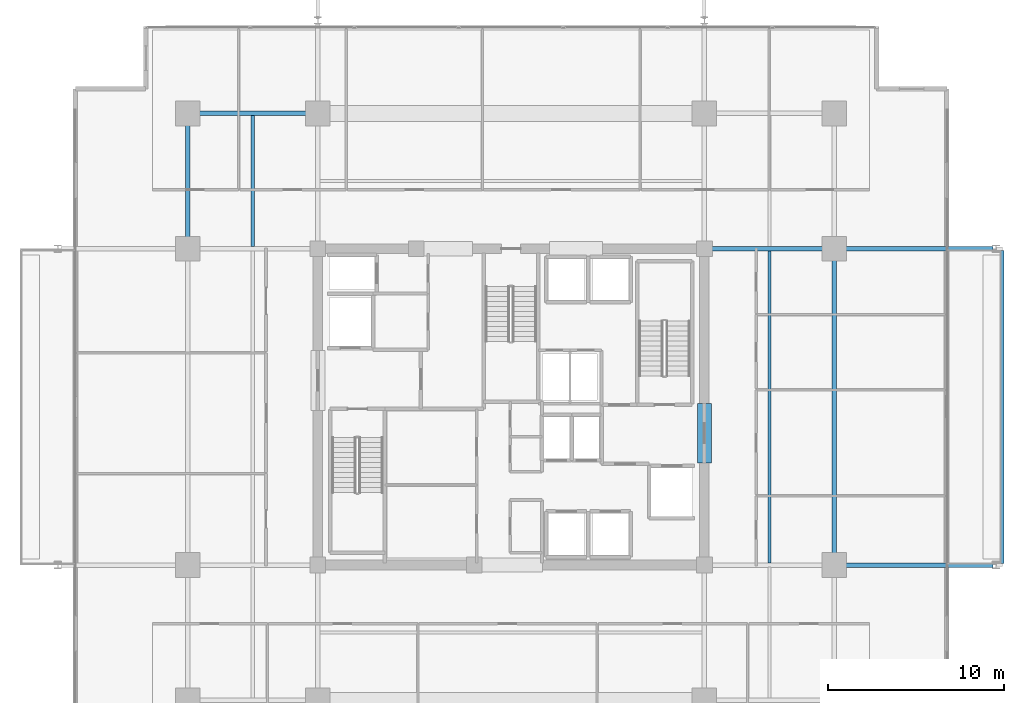
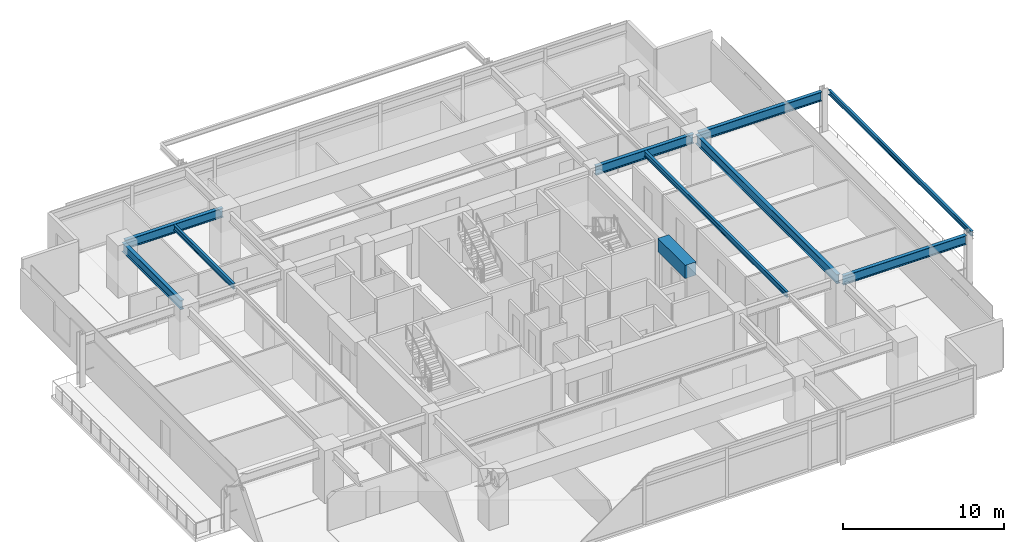
# One storey, part 7 of 21: 10 beams.
"""IFC4 building model written with IfcOpenShell, lengths in metres."""

import ifcopenshell
import ifcopenshell.guid

model = None  # the IFC model being written
_history = None  # IfcOwnerHistory: only IFC2X3 demands one
_inside = {}  # id of a spatial element -> (the spatial element, [elements in it])
_under = {}  # id of a project, library or spatial element -> (it, [spatial elements below it])
_declared = {}  # id of a project -> (the project, [libraries it declares])
_typed = {}  # id of a type object -> (the type object, [elements of that type])
_made_of = {}  # id of a material, layer set ... -> (it, [elements and type objects made of it])


def new_model(schema):
    """Start an empty IFC model of exactly this schema.

    Asked for "IFC4X3", IfcOpenShell would pick the latest addendum, in which some entities
    have other attributes; the version numbers below select the first issue.
    IFC2X3 requires an IfcOwnerHistory on every rooted entity: one is made here for all.
    """
    global model, _history
    if schema == "IFC4X3":
        model = ifcopenshell.file(schema_version=(4, 3, 0, 0))
    else:
        model = ifcopenshell.file(schema=schema)
    _inside.clear()
    _under.clear()
    _declared.clear()
    _typed.clear()
    _made_of.clear()
    _history = None
    if model.schema == "IFC2X3":
        org = make("IfcOrganization", Name="unknown")
        user = make(
            "IfcPersonAndOrganization",
            ThePerson=make("IfcPerson", FamilyName="unknown"),
            TheOrganization=org,
        )
        app = make(
            "IfcApplication",
            ApplicationDeveloper=org,
            Version="unknown",
            ApplicationFullName="unknown",
            ApplicationIdentifier="unknown",
        )
        _history = make(
            "IfcOwnerHistory",
            OwningUser=user,
            OwningApplication=app,
            ChangeAction="ADDED",
            CreationDate=0,
        )
    return model


def make(cls, **values):
    """One entity of the class cls with the attributes given. An attribute that is None is left unset."""
    return model.create_entity(
        cls, **{name: value for name, value in values.items() if value is not None}
    )


def rooted(cls, **values):
    """An entity with a GlobalId (a new one), such as an element, a storey or a relation."""
    return make(cls, GlobalId=ifcopenshell.guid.new(), OwnerHistory=_history, **values)


def si_unit(unit_type, name, prefix=None):
    """IfcSIUnit, for example si_unit("LENGTHUNIT", "METRE", prefix="MILLI")."""
    return make("IfcSIUnit", UnitType=unit_type, Prefix=prefix, Name=name)


def assignment(units):
    """IfcUnitAssignment: the units of a project."""
    return None if units is None else make("IfcUnitAssignment", Units=units)


def point(xyz):
    """IfcCartesianPoint."""
    return None if xyz is None else make("IfcCartesianPoint", Coordinates=xyz)


def direction(xyz):
    """IfcDirection."""
    return None if xyz is None else make("IfcDirection", DirectionRatios=xyz)


def frame(location, z_axis=None, x_axis=None):
    """IfcAxis2Placement3D, a coordinate frame: its origin and axes. An axis left out is left unset."""
    return make(
        "IfcAxis2Placement3D",
        Location=point(location),
        Axis=direction(z_axis),
        RefDirection=direction(x_axis),
    )


def frame_2d(location, x_axis=None):
    """IfcAxis2Placement2D, a coordinate frame in the plane: its origin and x axis."""
    return make(
        "IfcAxis2Placement2D", Location=point(location), RefDirection=direction(x_axis)
    )


def origin():
    """The frame at (0, 0, 0) with its axes left unset."""
    return frame((0.0, 0.0, 0.0))


def origin_2d():
    """The frame at (0, 0) in the plane with its x axis left unset."""
    return frame_2d((0.0, 0.0))


def place(relative_to, where):
    """IfcLocalPlacement: puts the frame where relative to a parent placement (None: the world)."""
    return make(
        "IfcLocalPlacement", PlacementRelTo=relative_to, RelativePlacement=where
    )


def context(
    kind, dimensions, precision=None, world=None, true_north=None, identifier=None
):
    """IfcGeometricRepresentationContext, for example the 3D "Model" context."""
    return make(
        "IfcGeometricRepresentationContext",
        ContextIdentifier=identifier,
        ContextType=kind,
        CoordinateSpaceDimension=dimensions,
        Precision=precision,
        WorldCoordinateSystem=world,
        TrueNorth=true_north,
    )


def subcontext(parent, identifier, kind, view, scale=None):
    """IfcGeometricRepresentationSubContext, for example "Body" below "Model"."""
    return make(
        "IfcGeometricRepresentationSubContext",
        ContextIdentifier=identifier,
        ContextType=kind,
        ParentContext=parent,
        TargetScale=scale,
        TargetView=view,
    )


def project(units=None, contexts=None):
    """IfcProject with its units and contexts."""
    return rooted(
        "IfcProject",
        Name="project",
        RepresentationContexts=contexts,
        UnitsInContext=assignment(units),
    )


def spatial(cls, under=None, at=None, **own):
    """A site, building, storey or space (cls), placed at a placement, below another one or the project."""
    s = rooted(cls, ObjectPlacement=at, **own)
    if under is not None:
        _under.setdefault(under.id(), (under, []))[1].append(s)
    return s


def profile(cls, at=None, kind="AREA", **sizes):
    """A parametric profile (cls). Its sizes go by their IFC names, for example OverallWidth=200.0."""
    return make(cls, ProfileType=kind, Position=at, **sizes)


def rectangle(**sizes):
    """IfcRectangleProfileDef."""
    return profile("IfcRectangleProfileDef", **sizes)


def i_section(**sizes):
    """IfcIShapeProfileDef."""
    return profile("IfcIShapeProfileDef", **sizes)


def extrude(swept, where, along, depth):
    """IfcExtrudedAreaSolid: the profile swept, set in the frame where, extruded along a direction by depth."""
    return make(
        "IfcExtrudedAreaSolid",
        SweptArea=swept,
        Position=where,
        ExtrudedDirection=direction(along),
        Depth=depth,
    )


def shape(context_of_items, identifier, shape_type, items):
    """IfcShapeRepresentation: the items that make up one representation, for example the "Body"."""
    return make(
        "IfcShapeRepresentation",
        ContextOfItems=context_of_items,
        RepresentationIdentifier=identifier,
        RepresentationType=shape_type,
        Items=items,
    )


def material(Name=None, Category=None):
    """IfcMaterial."""
    return make("IfcMaterial", Name=Name, Category=Category)


def material_profile(
    of_material, cross_section, Name=None, Category=None, Priority=None
):
    """IfcMaterialProfile: a cross section and its material."""
    return make(
        "IfcMaterialProfile",
        Name=Name,
        Material=of_material,
        Profile=cross_section,
        Priority=Priority,
        Category=Category,
    )


def profile_set(profiles, Name=None, composite=None):
    """IfcMaterialProfileSet."""
    return make(
        "IfcMaterialProfileSet",
        Name=Name,
        MaterialProfiles=profiles,
        CompositeProfile=composite,
    )


def made_of(thing, what):
    """Note that an element or type object is made of a material, layer set ...; save() writes the relation."""
    if what is not None:
        _made_of.setdefault(what.id(), (what, []))[1].append(thing)
    return thing


def type_object(cls, material=None, **own):
    """A type object (cls), such as IfcWallType, which elements share."""
    return made_of(rooted(cls, **own), material)


def element(
    cls,
    number,
    at=None,
    inside=None,
    cuts=None,
    type_object=None,
    material=None,
    context=None,
    identifier="Body",
    shape_type=None,
    held_by="IfcProductDefinitionShape",
    body=None,
    shapes=None,
    **own,
):
    """One element of the class cls, such as IfcWall. Its Tag is "e" and its number.

    at: its placement. inside: the storey or other place that contains it. cuts: it is an
    opening in that element (IfcRelVoidsElement). A single representation is given by context,
    identifier, shape_type and body (its items); several are given by shapes. held_by: the class
    of the entity that holds the representations. save() writes the other relations.
    """
    e = rooted(cls, Tag="e%d" % number, ObjectPlacement=at, **own)
    if body is not None:
        shapes = [shape(context, identifier, shape_type, body)]
    if shapes is not None:
        e.Representation = make(held_by, Representations=shapes)
    if inside is not None:
        _inside.setdefault(inside.id(), (inside, []))[1].append(e)
    if cuts is not None:
        rooted(
            "IfcRelVoidsElement", RelatingBuildingElement=cuts, RelatedOpeningElement=e
        )
    if type_object is not None:
        _typed.setdefault(type_object.id(), (type_object, []))[1].append(e)
    return made_of(e, material)


def aggregate(whole, parts):
    """IfcRelAggregates: a whole, such as a stair, and the parts it consists of."""
    return rooted("IfcRelAggregates", RelatingObject=whole, RelatedObjects=parts)


def save(model, path):
    """Write the relations noted so far, then the file.

    IfcRelAggregates (storeys below a building ...), IfcRelContainedInSpatialStructure (elements
    in a storey), IfcRelDefinesByType, IfcRelAssociatesMaterial and IfcRelDeclares: one each for
    every whole, place, type object, material and project.
    """
    for whole, parts in _under.values():
        aggregate(whole, parts)
    for where, things in _inside.values():
        rooted(
            "IfcRelContainedInSpatialStructure",
            RelatedElements=things,
            RelatingStructure=where,
        )
    for kind, things in _typed.values():
        rooted("IfcRelDefinesByType", RelatedObjects=things, RelatingType=kind)
    for what, things in _made_of.values():
        rooted("IfcRelAssociatesMaterial", RelatedObjects=things, RelatingMaterial=what)
    for by, libraries in _declared.values():
        rooted("IfcRelDeclares", RelatingContext=by, RelatedDefinitions=libraries)
    model.write(path)


model = new_model("IFC4")

# Units and contexts
model_context = context("Model", 3, precision=1e-05, world=origin(), true_north=direction((0.0, 1.0)))
body_context = subcontext(model_context, "Body", "Model", "MODEL_VIEW")
ifc_project = project(units=[si_unit("LENGTHUNIT", "METRE"), si_unit("AREAUNIT", "SQUARE_METRE"), si_unit("VOLUMEUNIT", "CUBIC_METRE"), si_unit("PLANEANGLEUNIT", "RADIAN"), si_unit("MASSUNIT", "GRAM", prefix="KILO")], contexts=[model_context])

# Site, building, storey
site_placement = place(None, origin())
site = spatial("IfcSite", under=ifc_project, at=site_placement, CompositionType="ELEMENT")
building_placement = place(site_placement, origin())
building = spatial("IfcBuilding", under=site, at=building_placement, Name="Kovane Verandah Tower", CompositionType="ELEMENT")
storey_placement = place(building_placement, frame((0.0, 0.0, 205.199951171875)))
storey = spatial("IfcBuildingStorey", under=building, at=storey_placement, Name="L47", CompositionType="ELEMENT", Elevation=205.199951171875)

# Beams
ifc_material_1 = material(Name="Concrete C60/75", Category="concrete")
ifc_material_profile_1 = material_profile(ifc_material_1, rectangle(XDim=0.800048828125, YDim=1.0, at=origin_2d()), Name="RCB800x1000")
ifc_profile_set_1 = profile_set([ifc_material_profile_1], Name="Concrete C60/75")
beam_type_1 = type_object("IfcBeamType", Name="BM-LINTEL-800x1000", PredefinedType="LINTEL", material=ifc_profile_set_1)
beam_1_placement = place(storey_placement, frame((51.0, 24.300048828125, 3.275146484375), z_axis=(0.0, 1.0, 0.0), x_axis=(-1.0, 0.0, 0.0)))
element("IfcBeam", 1, at=beam_1_placement, inside=storey, type_object=beam_type_1, Name="L47 Core Coupling Lintel CL-E", PredefinedType="LINTEL", context=body_context, shape_type="SweptSolid", body=[
    extrude(rectangle(XDim=0.800048828125, YDim=1.0, at=origin_2d()), origin(), (0.0, 0.0, 1.0), 3.39990234375),
])
ifc_material_2 = material(Name="Steel S355", Category="steel")
ifc_material_profile_2 = material_profile(ifc_material_2, i_section(OverallWidth=0.255859375, OverallDepth=0.69287109375, WebThickness=0.014404296875, FlangeThickness=0.023681640625, FilletRadius=0.01513671875, at=origin_2d()), Name="UB686x254x170")
ifc_profile_set_2 = profile_set([ifc_material_profile_2], Name="Steel S355")
beam_type_2 = type_object("IfcBeamType", Name="BM-UB686x170", PredefinedType="BEAM", material=ifc_profile_set_2)
beam_2_placement = place(storey_placement, frame((21.780029296875, 44.199951171875, 3.428466796875), z_axis=(1.0, 0.0, 0.0), x_axis=(0.0, 1.0, 0.0)))
element("IfcBeam", 2, at=beam_2_placement, inside=storey, type_object=beam_type_2, Name="L47 Primary Tower Girder G-RN1", PredefinedType="BEAM", context=body_context, shape_type="SweptSolid", body=[
    extrude(i_section(OverallWidth=0.255859375, OverallDepth=0.69287109375, WebThickness=0.014404296875, FlangeThickness=0.023681640625, FilletRadius=0.01513671875, at=origin_2d()), origin(), (0.0, 0.0, 1.0), 7.0400390625),
])
beam_3_placement = place(storey_placement, frame((21.60009765625, 36.679931640625, 3.428466796875), z_axis=(0.0, 1.0, 0.0), x_axis=(-1.0, 0.0, 0.0)))
element("IfcBeam", 3, at=beam_3_placement, inside=storey, type_object=beam_type_2, Name="L47 Primary Tower Girder G-RW3", PredefinedType="BEAM", context=body_context, shape_type="SweptSolid", body=[
    extrude(i_section(OverallWidth=0.255859375, OverallDepth=0.69287109375, WebThickness=0.014404296875, FlangeThickness=0.023681640625, FilletRadius=0.01513671875, at=origin_2d()), origin(), (0.0, 0.0, 1.0), 7.340087890625),
])
beam_4_placement = place(storey_placement, frame((58.39990234375, 18.679931640625, 3.428466796875), z_axis=(0.0, 1.0, 0.0), x_axis=(-1.0, 0.0, 0.0)))
element("IfcBeam", 4, at=beam_4_placement, inside=storey, type_object=beam_type_2, Name="L47 Primary Tower Girder G-RE2", PredefinedType="BEAM", context=body_context, shape_type="SweptSolid", body=[
    extrude(i_section(OverallWidth=0.255859375, OverallDepth=0.69287109375, WebThickness=0.014404296875, FlangeThickness=0.023681640625, FilletRadius=0.01513671875, at=origin_2d()), origin(), (0.0, 0.0, 1.0), 17.64013671875),
])
beam_5_placement = place(storey_placement, frame((51.179931640625, 36.5, 3.428466796875), z_axis=(1.0, 0.0, 0.0), x_axis=(0.0, 1.0, 0.0)))
element("IfcBeam", 5, at=beam_5_placement, inside=storey, type_object=beam_type_2, Name="L47 Primary Tower Girder G-E2", PredefinedType="BEAM", context=body_context, shape_type="SweptSolid", body=[
    extrude(i_section(OverallWidth=0.255859375, OverallDepth=0.69287109375, WebThickness=0.014404296875, FlangeThickness=0.023681640625, FilletRadius=0.01513671875, at=origin_2d()), origin(), (0.0, 0.0, 1.0), 7.0400390625),
])
for number, where, z_axis, x_axis, name in (
    (6, (58.580078125, 18.5, 3.41357421875), (1.0, 0.0, 0.0), (0.0, 1.0, 0.0), "L47 Primary Tower Girder G-VE1"),
    (7, (58.580078125, 36.5, 3.41357421875), (1.0, 0.0, 0.0), (0.0, 1.0, 0.0), "L47 Primary Tower Girder G-VE2"),
):
    element("IfcBeam", number, at=place(storey_placement, frame(where, z_axis=z_axis, x_axis=x_axis)), inside=storey, type_object=beam_type_2, Name=name, PredefinedType="BEAM", context=body_context, shape_type="SweptSolid", body=[
        extrude(i_section(OverallWidth=0.255859375, OverallDepth=0.69287109375, WebThickness=0.014404296875, FlangeThickness=0.023681640625, FilletRadius=0.01513671875, at=origin_2d()), origin(), (0.0, 0.0, 1.0), 8.83984375),
    ])
ifc_material_profile_3 = material_profile(ifc_material_2, i_section(OverallWidth=0.179443359375, OverallDepth=0.412841796875, WebThickness=0.009521484375, FlangeThickness=0.01611328125, FilletRadius=0.01025390625, at=origin_2d()), Name="UB406x178x74")
ifc_profile_set_3 = profile_set([ifc_material_profile_3], Name="Steel S355")
beam_type_3 = type_object("IfcBeamType", Name="JST-UB406x74", PredefinedType="JOIST", material=ifc_profile_set_3)
beam_6_placement = place(storey_placement, frame((54.699951171875, 18.6259765625, 3.568603515625), z_axis=(0.0, 1.0, 0.0), x_axis=(-1.0, 0.0, 0.0)))
element("IfcBeam", 8, at=beam_6_placement, inside=storey, type_object=beam_type_3, Name="L47 Secondary Composite Joist J-E1", PredefinedType="JOIST", context=body_context, shape_type="SweptSolid", body=[
    extrude(i_section(OverallWidth=0.179443359375, OverallDepth=0.412841796875, WebThickness=0.009521484375, FlangeThickness=0.01611328125, FilletRadius=0.01025390625, at=origin_2d()), origin(), (0.0, 0.0, 1.0), 17.748046875),
])
beam_7_placement = place(storey_placement, frame((25.300048828125, 36.6259765625, 3.568603515625), z_axis=(0.0, 1.0, 0.0), x_axis=(-1.0, 0.0, 0.0)))
element("IfcBeam", 9, at=beam_7_placement, inside=storey, type_object=beam_type_3, Name="L47 Secondary Composite Joist J-NW1", PredefinedType="JOIST", context=body_context, shape_type="SweptSolid", body=[
    extrude(i_section(OverallWidth=0.179443359375, OverallDepth=0.412841796875, WebThickness=0.009521484375, FlangeThickness=0.01611328125, FilletRadius=0.01025390625, at=origin_2d()), origin(), (0.0, 0.0, 1.0), 7.4482421875),
])
ifc_material_profile_4 = material_profile(ifc_material_2, i_section(OverallWidth=0.173095703125, OverallDepth=0.36328125, WebThickness=0.009033203125, FlangeThickness=0.015625, FilletRadius=0.01025390625, at=origin_2d()), Name="UB356x171x67")
ifc_profile_set_4 = profile_set([ifc_material_profile_4], Name="Steel S355")
beam_type_4 = type_object("IfcBeamType", Name="SPD-UB356x67", PredefinedType="USERDEFINED", material=ifc_profile_set_4)
beam_8_placement = place(storey_placement, frame((67.968017578125, 18.594482421875, 3.578369140625), z_axis=(0.0, 1.0, 0.0), x_axis=(-1.0, 0.0, 0.0)))
element("IfcBeam", 10, at=beam_8_placement, inside=storey, type_object=beam_type_4, Name="L47 East Planter Edge Spandrel", ObjectType="SPANDREL", PredefinedType="USERDEFINED", context=body_context, shape_type="SweptSolid", body=[
    extrude(i_section(OverallWidth=0.173095703125, OverallDepth=0.36328125, WebThickness=0.009033203125, FlangeThickness=0.015625, FilletRadius=0.01025390625, at=origin_2d()), origin(), (0.0, 0.0, 1.0), 17.81103515625),
])

save(model, "model.ifc")
